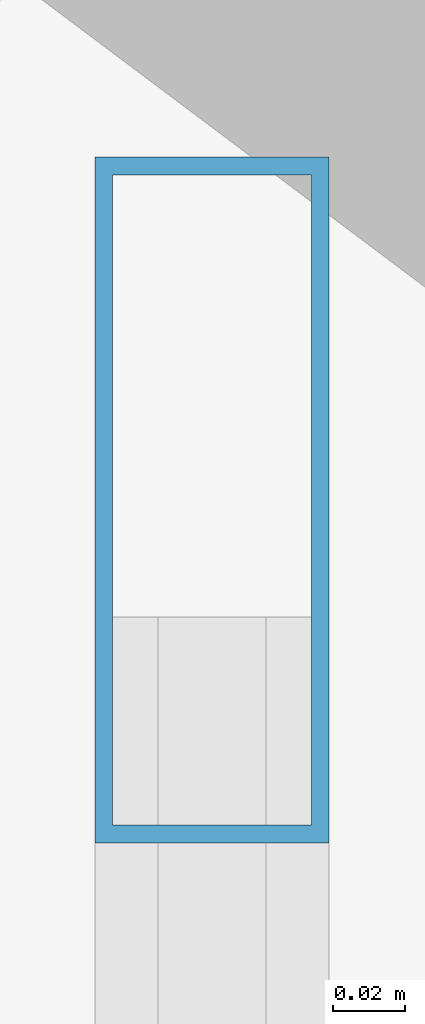
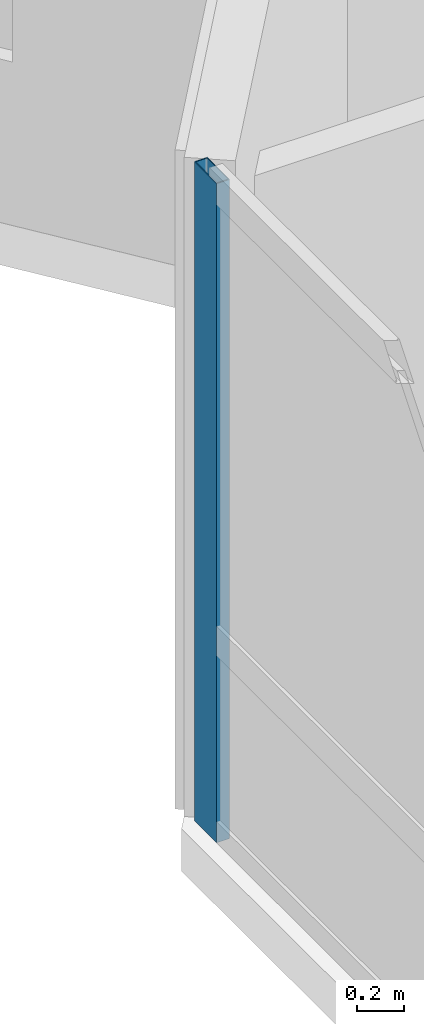
# One storey, part 6 of 19: 1 member, 1 element without a shape of its own.
"""IFC4 building model written with IfcOpenShell, lengths in metres."""

from ifc_helpers import new_model, si_unit, direction, frame, origin, origin_2d, place, context, subcontext, project, spatial, hollow_rectangle, extrude, material, material_profile, profile_set, type_object, element, aggregate, save


model = new_model("IFC4")

# Units and contexts
model_context = context("Model", 3, precision=1e-05, world=origin(), true_north=direction((0.0, 1.0)))
body_context = subcontext(model_context, "Body", "Model", "MODEL_VIEW")
ifc_project = project(units=[si_unit("LENGTHUNIT", "METRE"), si_unit("AREAUNIT", "SQUARE_METRE"), si_unit("VOLUMEUNIT", "CUBIC_METRE"), si_unit("PLANEANGLEUNIT", "RADIAN"), si_unit("MASSUNIT", "GRAM", prefix="KILO")], contexts=[model_context])

# Site, building, storey
site_placement = place(None, origin())
site = spatial("IfcSite", under=ifc_project, at=site_placement, CompositionType="ELEMENT")
building_placement = place(site_placement, origin())
building = spatial("IfcBuilding", under=site, at=building_placement, Name="Khamvora Tower", CompositionType="ELEMENT")
storey_placement = place(building_placement, frame((0.0, 0.0, 120.14990234375)))
storey = spatial("IfcBuildingStorey", under=building, at=storey_placement, Name="L30", CompositionType="ELEMENT", Elevation=120.14990234375)

# Curtain wall, member
ifc_material = material(Name="Anodised Aluminium 6063-T6", Category="aluminium")
curtain_wall_type = type_object("IfcCurtainWallType", Name="CW-SYS-03", PredefinedType="NOTDEFINED", material=ifc_material)
curtain_wall_placement = place(storey_placement, origin())
curtain_wall = element("IfcCurtainWall", 1, at=curtain_wall_placement, inside=storey, type_object=curtain_wall_type, Name="L30 stick curtain wall 02.1", PredefinedType="NOTDEFINED")
ifc_material_profile = material_profile(ifc_material, hollow_rectangle(XDim=0.06494140625, YDim=0.18994140625, WallThickness=0.0048828125, at=origin_2d()), Name="MUL65x190x5")
ifc_profile_set = profile_set([ifc_material_profile], Name="Anodised Aluminium 6063-T6")
member_type = type_object("IfcMemberType", Name="CW-SYS-03-MUL", PredefinedType="MULLION", material=ifc_profile_set)
member_placement = place(storey_placement, frame((9.510009765625, 24.73046875, 0.0), z_axis=(0.0, 0.0, 1.0), x_axis=(-1.0, 0.0, 0.0)))
member = element("IfcMember", 2, at=member_placement, type_object=member_type, Name="CW-03 mullion 5", PredefinedType="MULLION", context=body_context, shape_type="SweptSolid", body=[
    extrude(hollow_rectangle(XDim=0.06494140625, YDim=0.18994140625, WallThickness=0.0048828125, at=origin_2d()), origin(), (0.0, 0.0, 1.0), 3.43017578125),
])
aggregate(curtain_wall, [member])

save(model, "model.ifc")
